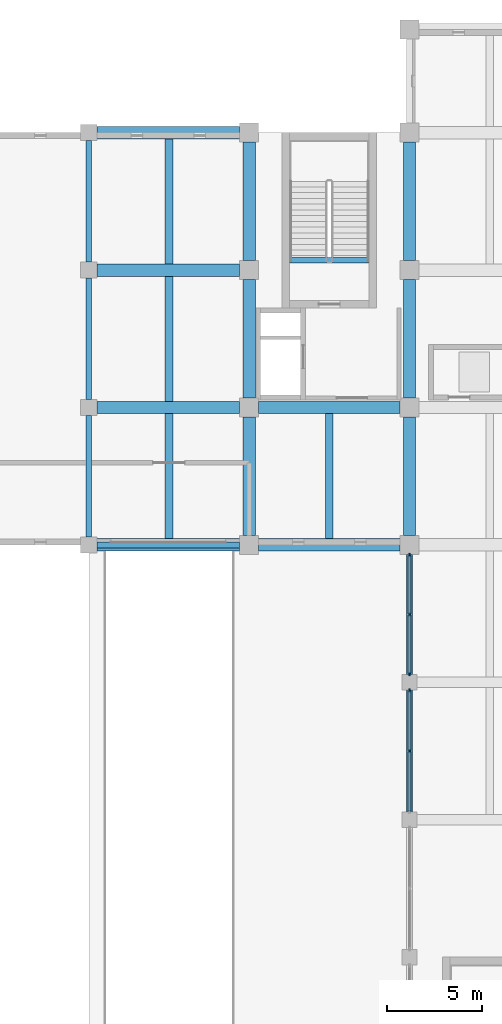
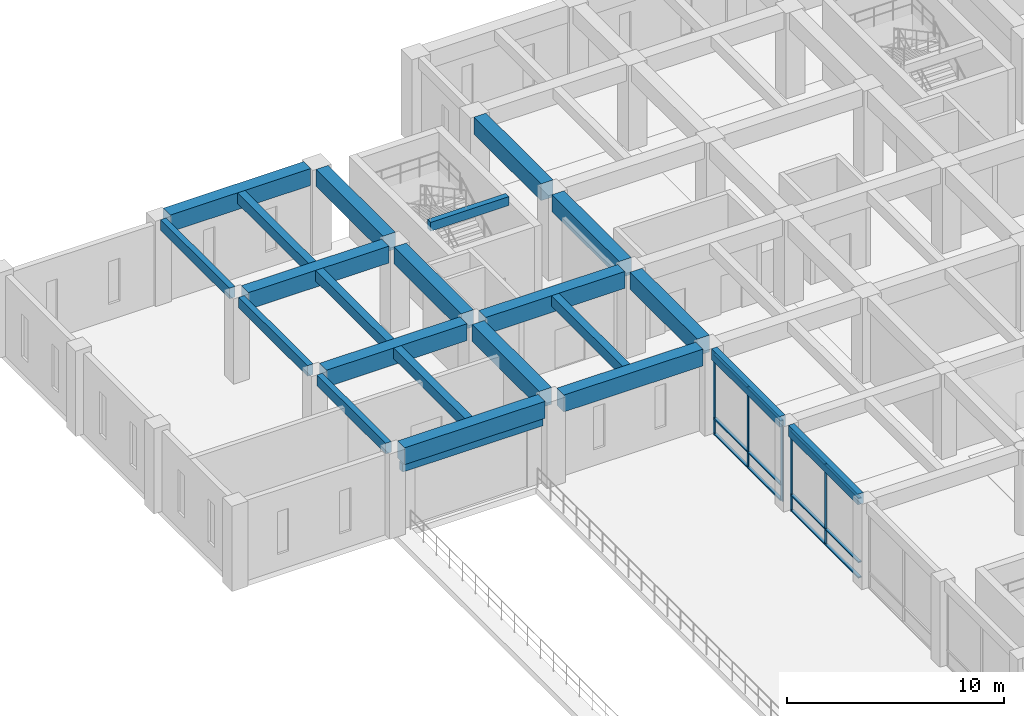
# One storey, part 12 of 49: 23 beams, 17 members, 2 elements without a shape of their own.
"""IFC4 building model written with IfcOpenShell, lengths in metres."""

from ifc_helpers import new_model, si_unit, direction, frame, origin, origin_2d, place, context, subcontext, project, spatial, rectangle, extrude, material, material_profile, profile_set, type_object, element, aggregate, save


model = new_model("IFC4")

# Units and contexts
model_context = context("Model", 3, precision=1e-05, world=origin(), true_north=direction((0.0, 1.0)))
body_context = subcontext(model_context, "Body", "Model", "MODEL_VIEW")
ifc_project = project(units=[si_unit("LENGTHUNIT", "METRE"), si_unit("AREAUNIT", "SQUARE_METRE"), si_unit("VOLUMEUNIT", "CUBIC_METRE"), si_unit("PLANEANGLEUNIT", "RADIAN"), si_unit("MASSUNIT", "GRAM", prefix="KILO")], contexts=[model_context])

# Site, building, storey
site_placement = place(None, origin())
site = spatial("IfcSite", under=ifc_project, at=site_placement, CompositionType="ELEMENT")
building_placement = place(site_placement, origin())
building = spatial("IfcBuilding", under=site, at=building_placement, Name="Kenerak Square Central Library", CompositionType="ELEMENT")
storey_placement = place(building_placement, origin())
storey = spatial("IfcBuildingStorey", under=building, at=storey_placement, Name="L00", CompositionType="ELEMENT", Elevation=0.0)

# Beams
ifc_material_1 = material(Name="Concrete C45/55", Category="concrete")
ifc_material_profile_1 = material_profile(ifc_material_1, rectangle(XDim=0.64990234375, YDim=0.949951171875, at=origin_2d()), Name="RC 650x950")
ifc_profile_set_1 = profile_set([ifc_material_profile_1], Name="Concrete C45/55")
beam_type_1 = type_object("IfcBeamType", Name="Book Stack Girder B-02 RC 650x950 C45/55", PredefinedType="BEAM", material=ifc_profile_set_1)
beam_1_placement = place(storey_placement, frame((50.425048828125, 88.800048828125, 4.324951171875), z_axis=(1.0, 0.0, 0.0), x_axis=(0.0, 1.0, 0.0)))
element("IfcBeam", 1, at=beam_1_placement, inside=storey, type_object=beam_type_1, Name="Beam B-02 L00 0552", PredefinedType="BEAM", context=body_context, shape_type="SweptSolid", body=[
    extrude(rectangle(XDim=0.64990234375, YDim=0.949951171875, at=origin_2d()), origin(), (0.0, 0.0, 1.0), 7.474853515625),
])
beam_2_placement = place(storey_placement, frame((58.89990234375, 88.800048828125, 4.324951171875), z_axis=(1.0, 0.0, 0.0), x_axis=(0.0, 1.0, 0.0)))
element("IfcBeam", 2, at=beam_2_placement, inside=storey, type_object=beam_type_1, Name="Beam B-02 L00 0553", PredefinedType="BEAM", context=body_context, shape_type="SweptSolid", body=[
    extrude(rectangle(XDim=0.64990234375, YDim=0.949951171875, at=origin_2d()), origin(), (0.0, 0.0, 1.0), 7.400146484375),
])
beam_3_placement = place(storey_placement, frame((50.425048828125, 96.0, 4.324951171875), z_axis=(1.0, 0.0, 0.0), x_axis=(0.0, 1.0, 0.0)))
element("IfcBeam", 3, at=beam_3_placement, inside=storey, type_object=beam_type_1, Name="Beam B-02 L00 0562", PredefinedType="BEAM", context=body_context, shape_type="SweptSolid", body=[
    extrude(rectangle(XDim=0.64990234375, YDim=0.949951171875, at=origin_2d()), origin(), (0.0, 0.0, 1.0), 7.474853515625),
])
beam_4_placement = place(storey_placement, frame((58.89990234375, 96.0, 4.324951171875), z_axis=(1.0, 0.0, 0.0), x_axis=(0.0, 1.0, 0.0)))
element("IfcBeam", 4, at=beam_4_placement, inside=storey, type_object=beam_type_1, Name="Beam B-02 L00 0563", PredefinedType="BEAM", context=body_context, shape_type="SweptSolid", body=[
    extrude(rectangle(XDim=0.64990234375, YDim=0.949951171875, at=origin_2d()), origin(), (0.0, 0.0, 1.0), 7.400146484375),
])
for number, where, z_axis, x_axis, name in (
    (5, (50.425048828125, 103.199951171875, 4.324951171875), (1.0, 0.0, 0.0), (0.0, 1.0, 0.0), "Beam B-02 L00 0572"),
    (6, (50.425048828125, 110.39990234375, 4.324951171875), (1.0, 0.0, 0.0), (0.0, 1.0, 0.0), "Beam B-02 L00 0579"),
):
    element("IfcBeam", number, at=place(storey_placement, frame(where, z_axis=z_axis, x_axis=x_axis)), inside=storey, type_object=beam_type_1, Name=name, PredefinedType="BEAM", context=body_context, shape_type="SweptSolid", body=[
        extrude(rectangle(XDim=0.64990234375, YDim=0.949951171875, at=origin_2d()), origin(), (0.0, 0.0, 1.0), 7.474853515625),
    ])
for number, where, z_axis, x_axis, name in (
    (7, (58.39990234375, 89.300048828125, 4.324951171875), (0.0, 1.0, 0.0), (-1.0, 0.0, 0.0), "Beam B-02 L00 0618"),
    (8, (58.39990234375, 96.5, 4.324951171875), (0.0, 1.0, 0.0), (-1.0, 0.0, 0.0), "Beam B-02 L00 0619"),
    (9, (58.39990234375, 103.699951171875, 4.324951171875), (0.0, 1.0, 0.0), (-1.0, 0.0, 0.0), "Beam B-02 L00 0620"),
    (10, (66.800048828125, 89.300048828125, 4.324951171875), (0.0, 1.0, 0.0), (-1.0, 0.0, 0.0), "Beam B-02 L00 0631"),
    (11, (66.800048828125, 96.5, 4.324951171875), (0.0, 1.0, 0.0), (-1.0, 0.0, 0.0), "Beam B-02 L00 0632"),
    (12, (66.800048828125, 103.699951171875, 4.324951171875), (0.0, 1.0, 0.0), (-1.0, 0.0, 0.0), "Beam B-02 L00 0633"),
):
    element("IfcBeam", number, at=place(storey_placement, frame(where, z_axis=z_axis, x_axis=x_axis)), inside=storey, type_object=beam_type_1, Name=name, PredefinedType="BEAM", context=body_context, shape_type="SweptSolid", body=[
        extrude(rectangle(XDim=0.64990234375, YDim=0.949951171875, at=origin_2d()), origin(), (0.0, 0.0, 1.0), 6.199951171875),
    ])
ifc_material_2 = material(Name="Concrete C40/50", Category="concrete")
ifc_material_profile_2 = material_profile(ifc_material_2, rectangle(XDim=0.300048828125, YDim=0.60009765625, at=origin_2d()), Name="RC 300x600")
ifc_profile_set_2 = profile_set([ifc_material_profile_2], Name="Concrete C40/50")
beam_type_2 = type_object("IfcBeamType", Name="Courtyard Spandrel Beam SP-02 RC 300x600 C40/50", PredefinedType="SPANDREL", material=ifc_profile_set_2)
for number, where, z_axis, x_axis, name in (
    (13, (50.0, 89.22509765625, 4.5), (0.0, 1.0, 0.0), (-1.0, 0.0, 0.0), "Beam SP-02 L00 0610"),
    (14, (50.0, 96.425048828125, 4.5), (0.0, 1.0, 0.0), (-1.0, 0.0, 0.0), "Beam SP-02 L00 0611"),
):
    element("IfcBeam", number, at=place(storey_placement, frame(where, z_axis=z_axis, x_axis=x_axis)), inside=storey, type_object=beam_type_2, Name=name, PredefinedType="SPANDREL", context=body_context, shape_type="SweptSolid", body=[
        extrude(rectangle(XDim=0.300048828125, YDim=0.60009765625, at=origin_2d()), origin(), (0.0, 0.0, 1.0), 6.349853515625),
    ])
beam_5_placement = place(storey_placement, frame((50.0, 103.625, 4.5), z_axis=(0.0, 1.0, 0.0), x_axis=(-1.0, 0.0, 0.0)))
element("IfcBeam", 15, at=beam_5_placement, inside=storey, type_object=beam_type_2, Name="Beam SP-02 L00 0612", PredefinedType="SPANDREL", context=body_context, shape_type="SweptSolid", body=[
    extrude(rectangle(XDim=0.300048828125, YDim=0.60009765625, at=origin_2d()), origin(), (0.0, 0.0, 1.0), 6.35009765625),
])
beam_6_placement = place(storey_placement, frame((66.800048828125, 74.800048828125, 4.5), z_axis=(0.0, 1.0, 0.0), x_axis=(-1.0, 0.0, 0.0)))
element("IfcBeam", 16, at=beam_6_placement, inside=storey, type_object=beam_type_2, Name="Beam SP-02 L00 0629", PredefinedType="SPANDREL", context=body_context, shape_type="SweptSolid", body=[
    extrude(rectangle(XDim=0.300048828125, YDim=0.60009765625, at=origin_2d()), origin(), (0.0, 0.0, 1.0), 6.39990234375),
])
beam_7_placement = place(storey_placement, frame((66.800048828125, 82.0, 4.5), z_axis=(0.0, 1.0, 0.0), x_axis=(-1.0, 0.0, 0.0)))
element("IfcBeam", 17, at=beam_7_placement, inside=storey, type_object=beam_type_2, Name="Beam SP-02 L00 0630", PredefinedType="SPANDREL", context=body_context, shape_type="SweptSolid", body=[
    extrude(rectangle(XDim=0.300048828125, YDim=0.60009765625, at=origin_2d()), origin(), (0.0, 0.0, 1.0), 6.300048828125),
])

# Curtain wall, members
ifc_material_3 = material(Name="Anodised aluminium and solar-control low-E glazing", Category="aluminium")
curtain_wall_type_1 = type_object("IfcCurtainWallType", Name="Curtain Wall CW-V4-64x45 6400x4525", PredefinedType="USERDEFINED", material=ifc_material_3)
curtain_wall_1_placement = place(storey_placement, origin())
curtain_wall_1 = element("IfcCurtainWall", 18, at=curtain_wall_1_placement, inside=storey, type_object=curtain_wall_type_1, Name="Curtain Wall CW-V4-64x45 L00 0005", ObjectType="CURTAIN WALL", PredefinedType="USERDEFINED")
ifc_material_4 = material(Name="Anodised aluminium 6063-T6", Category="aluminium")
ifc_material_profile_3 = material_profile(ifc_material_4, rectangle(XDim=0.06494140625, YDim=0.179931640625, at=origin_2d()), Name="AL MULLION 65x180")
ifc_profile_set_3 = profile_set([ifc_material_profile_3], Name="Anodised aluminium 6063-T6")
member_type_1 = type_object("IfcMemberType", Name="Curtain Mullion CM-01 65x180", PredefinedType="MULLION", material=ifc_profile_set_3)
member_1_placement = place(storey_placement, frame((66.800048828125, 78.0, 0.0), z_axis=(0.0, 0.0, 1.0), x_axis=(-1.0, 0.0, 0.0)))
member_1 = element("IfcMember", 19, at=member_1_placement, type_object=member_type_1, Name="CW-V4-64x45 Mullion 2", PredefinedType="MULLION", context=body_context, shape_type="SweptSolid", body=[
    extrude(rectangle(XDim=0.06494140625, YDim=0.179931640625, at=origin_2d()), origin(), (0.0, 0.0, 1.0), 4.52490234375),
])
member_2_placement = place(storey_placement, frame((66.800048828125, 81.16748046875, 0.0), z_axis=(0.0, 0.0, 1.0), x_axis=(-1.0, 0.0, 0.0)))
member_2 = element("IfcMember", 20, at=member_2_placement, type_object=member_type_1, Name="CW-V4-64x45 Mullion 3", PredefinedType="MULLION", context=body_context, shape_type="SweptSolid", body=[
    extrude(rectangle(XDim=0.06494140625, YDim=0.179931640625, at=origin_2d()), origin(), (0.0, 0.0, 1.0), 4.52490234375),
])

curtain_wall_type_2 = type_object("IfcCurtainWallType", Name="Curtain Wall CW-V4-63x45 6300x4525", PredefinedType="USERDEFINED", material=ifc_material_3)
curtain_wall_2_placement = place(storey_placement, origin())
curtain_wall_2 = element("IfcCurtainWall", 21, at=curtain_wall_2_placement, inside=storey, type_object=curtain_wall_type_2, Name="Curtain Wall CW-V4-63x45 L00 0006", ObjectType="CURTAIN WALL", PredefinedType="USERDEFINED")
member_3_placement = place(storey_placement, frame((66.800048828125, 82.032470703125, 0.0), z_axis=(0.0, 0.0, 1.0), x_axis=(-1.0, 0.0, 0.0)))
member_3 = element("IfcMember", 22, at=member_3_placement, type_object=member_type_1, Name="CW-V4-63x45 Mullion 1", PredefinedType="MULLION", context=body_context, shape_type="SweptSolid", body=[
    extrude(rectangle(XDim=0.06494140625, YDim=0.179931640625, at=origin_2d()), origin(), (0.0, 0.0, 1.0), 4.52490234375),
])
member_4_placement = place(storey_placement, frame((66.800048828125, 85.14990234375, 0.0), z_axis=(0.0, 0.0, 1.0), x_axis=(-1.0, 0.0, 0.0)))
member_4 = element("IfcMember", 23, at=member_4_placement, type_object=member_type_1, Name="CW-V4-63x45 Mullion 2", PredefinedType="MULLION", context=body_context, shape_type="SweptSolid", body=[
    extrude(rectangle(XDim=0.06494140625, YDim=0.179931640625, at=origin_2d()), origin(), (0.0, 0.0, 1.0), 4.52490234375),
])
member_5_placement = place(storey_placement, frame((66.800048828125, 88.267578125, 0.0), z_axis=(0.0, 0.0, 1.0), x_axis=(-1.0, 0.0, 0.0)))
member_5 = element("IfcMember", 24, at=member_5_placement, type_object=member_type_1, Name="CW-V4-63x45 Mullion 3", PredefinedType="MULLION", context=body_context, shape_type="SweptSolid", body=[
    extrude(rectangle(XDim=0.06494140625, YDim=0.179931640625, at=origin_2d()), origin(), (0.0, 0.0, 1.0), 4.52490234375),
])

# Member
ifc_material_profile_4 = material_profile(ifc_material_4, rectangle(XDim=0.159912109375, YDim=0.06494140625, at=origin_2d()), Name="AL TRANSOM 160x65")
ifc_profile_set_4 = profile_set([ifc_material_profile_4], Name="Anodised aluminium 6063-T6")
member_type_2 = type_object("IfcMemberType", Name="Curtain Transom CT-11 160x65", PredefinedType="USERDEFINED", material=ifc_profile_set_4)
member_6_placement = place(storey_placement, frame((66.800048828125, 74.864990234375, 0.032470703125), z_axis=(0.0, 1.0, 0.0), x_axis=(-1.0, 0.0, 0.0)))
member_6 = element("IfcMember", 25, at=member_6_placement, type_object=member_type_2, Name="CW-V4-64x45 Transom 1.1", ObjectType="TRANSOM", PredefinedType="USERDEFINED", context=body_context, shape_type="SweptSolid", body=[
    extrude(rectangle(XDim=0.159912109375, YDim=0.06494140625, at=origin_2d()), origin(), (0.0, 0.0, 1.0), 3.1025390625),
])

member_7_placement = place(storey_placement, frame((66.800048828125, 74.864990234375, 0.89990234375), z_axis=(0.0, 1.0, 0.0), x_axis=(-1.0, 0.0, 0.0)))
member_7 = element("IfcMember", 26, at=member_7_placement, type_object=member_type_2, Name="CW-V4-64x45 Transom 1.2", ObjectType="TRANSOM", PredefinedType="USERDEFINED", context=body_context, shape_type="SweptSolid", body=[
    extrude(rectangle(XDim=0.159912109375, YDim=0.06494140625, at=origin_2d()), origin(), (0.0, 0.0, 1.0), 3.1025390625),
])

member_8_placement = place(storey_placement, frame((66.800048828125, 74.864990234375, 4.492431640625), z_axis=(0.0, 1.0, 0.0), x_axis=(-1.0, 0.0, 0.0)))
member_8 = element("IfcMember", 27, at=member_8_placement, type_object=member_type_2, Name="CW-V4-64x45 Transom 1.3", ObjectType="TRANSOM", PredefinedType="USERDEFINED", context=body_context, shape_type="SweptSolid", body=[
    extrude(rectangle(XDim=0.159912109375, YDim=0.06494140625, at=origin_2d()), origin(), (0.0, 0.0, 1.0), 3.1025390625),
])

member_9_placement = place(storey_placement, frame((66.800048828125, 78.032470703125, 0.032470703125), z_axis=(0.0, 1.0, 0.0), x_axis=(-1.0, 0.0, 0.0)))
member_9 = element("IfcMember", 28, at=member_9_placement, type_object=member_type_2, Name="CW-V4-64x45 Transom 2.1", ObjectType="TRANSOM", PredefinedType="USERDEFINED", context=body_context, shape_type="SweptSolid", body=[
    extrude(rectangle(XDim=0.159912109375, YDim=0.06494140625, at=origin_2d()), origin(), (0.0, 0.0, 1.0), 3.1025390625),
])

member_10_placement = place(storey_placement, frame((66.800048828125, 78.032470703125, 0.89990234375), z_axis=(0.0, 1.0, 0.0), x_axis=(-1.0, 0.0, 0.0)))
member_10 = element("IfcMember", 29, at=member_10_placement, type_object=member_type_2, Name="CW-V4-64x45 Transom 2.2", ObjectType="TRANSOM", PredefinedType="USERDEFINED", context=body_context, shape_type="SweptSolid", body=[
    extrude(rectangle(XDim=0.159912109375, YDim=0.06494140625, at=origin_2d()), origin(), (0.0, 0.0, 1.0), 3.1025390625),
])

member_11_placement = place(storey_placement, frame((66.800048828125, 78.032470703125, 4.492431640625), z_axis=(0.0, 1.0, 0.0), x_axis=(-1.0, 0.0, 0.0)))
member_11 = element("IfcMember", 30, at=member_11_placement, type_object=member_type_2, Name="CW-V4-64x45 Transom 2.3", ObjectType="TRANSOM", PredefinedType="USERDEFINED", context=body_context, shape_type="SweptSolid", body=[
    extrude(rectangle(XDim=0.159912109375, YDim=0.06494140625, at=origin_2d()), origin(), (0.0, 0.0, 1.0), 3.1025390625),
])

aggregate(curtain_wall_1, [member_1, member_2, member_6, member_7, member_8, member_9, member_10, member_11])

member_12_placement = place(storey_placement, frame((66.800048828125, 82.06494140625, 0.032470703125), z_axis=(0.0, 1.0, 0.0), x_axis=(-1.0, 0.0, 0.0)))
member_12 = element("IfcMember", 31, at=member_12_placement, type_object=member_type_2, Name="CW-V4-63x45 Transom 1.1", ObjectType="TRANSOM", PredefinedType="USERDEFINED", context=body_context, shape_type="SweptSolid", body=[
    extrude(rectangle(XDim=0.159912109375, YDim=0.06494140625, at=origin_2d()), origin(), (0.0, 0.0, 1.0), 3.052490234375),
])

member_13_placement = place(storey_placement, frame((66.800048828125, 82.06494140625, 0.89990234375), z_axis=(0.0, 1.0, 0.0), x_axis=(-1.0, 0.0, 0.0)))
member_13 = element("IfcMember", 32, at=member_13_placement, type_object=member_type_2, Name="CW-V4-63x45 Transom 1.2", ObjectType="TRANSOM", PredefinedType="USERDEFINED", context=body_context, shape_type="SweptSolid", body=[
    extrude(rectangle(XDim=0.159912109375, YDim=0.06494140625, at=origin_2d()), origin(), (0.0, 0.0, 1.0), 3.052490234375),
])

member_14_placement = place(storey_placement, frame((66.800048828125, 82.06494140625, 4.492431640625), z_axis=(0.0, 1.0, 0.0), x_axis=(-1.0, 0.0, 0.0)))
member_14 = element("IfcMember", 33, at=member_14_placement, type_object=member_type_2, Name="CW-V4-63x45 Transom 1.3", ObjectType="TRANSOM", PredefinedType="USERDEFINED", context=body_context, shape_type="SweptSolid", body=[
    extrude(rectangle(XDim=0.159912109375, YDim=0.06494140625, at=origin_2d()), origin(), (0.0, 0.0, 1.0), 3.052490234375),
])

member_15_placement = place(storey_placement, frame((66.800048828125, 85.1826171875, 0.032470703125), z_axis=(0.0, 1.0, 0.0), x_axis=(-1.0, 0.0, 0.0)))
member_15 = element("IfcMember", 34, at=member_15_placement, type_object=member_type_2, Name="CW-V4-63x45 Transom 2.1", ObjectType="TRANSOM", PredefinedType="USERDEFINED", context=body_context, shape_type="SweptSolid", body=[
    extrude(rectangle(XDim=0.159912109375, YDim=0.06494140625, at=origin_2d()), origin(), (0.0, 0.0, 1.0), 3.052490234375),
])

member_16_placement = place(storey_placement, frame((66.800048828125, 85.1826171875, 0.89990234375), z_axis=(0.0, 1.0, 0.0), x_axis=(-1.0, 0.0, 0.0)))
member_16 = element("IfcMember", 35, at=member_16_placement, type_object=member_type_2, Name="CW-V4-63x45 Transom 2.2", ObjectType="TRANSOM", PredefinedType="USERDEFINED", context=body_context, shape_type="SweptSolid", body=[
    extrude(rectangle(XDim=0.159912109375, YDim=0.06494140625, at=origin_2d()), origin(), (0.0, 0.0, 1.0), 3.052490234375),
])

member_17_placement = place(storey_placement, frame((66.800048828125, 85.1826171875, 4.492431640625), z_axis=(0.0, 1.0, 0.0), x_axis=(-1.0, 0.0, 0.0)))
member_17 = element("IfcMember", 36, at=member_17_placement, type_object=member_type_2, Name="CW-V4-63x45 Transom 2.3", ObjectType="TRANSOM", PredefinedType="USERDEFINED", context=body_context, shape_type="SweptSolid", body=[
    extrude(rectangle(XDim=0.159912109375, YDim=0.06494140625, at=origin_2d()), origin(), (0.0, 0.0, 1.0), 3.052490234375),
])

aggregate(curtain_wall_2, [member_3, member_4, member_5, member_12, member_13, member_14, member_15, member_16, member_17])

# Beams
ifc_material_profile_5 = material_profile(ifc_material_2, rectangle(XDim=0.300048828125, YDim=0.5, at=origin_2d()), Name="RC 300x500")
ifc_profile_set_5 = profile_set([ifc_material_profile_5], Name="Concrete C40/50")
beam_type_3 = type_object("IfcBeamType", Name="Landing Support Beam B-08 RC 300x500 C40/50", PredefinedType="BEAM", material=ifc_profile_set_5)
beam_8_placement = place(storey_placement, frame((60.52001953125, 103.7099609375, 4.550048828125), z_axis=(1.0, 0.0, 0.0), x_axis=(0.0, 1.0, 0.0)))
element("IfcBeam", 37, at=beam_8_placement, inside=storey, type_object=beam_type_3, Name="Stair Threshold Beam B-08 ST-01 L01", PredefinedType="BEAM", context=body_context, shape_type="SweptSolid", body=[
    extrude(rectangle(XDim=0.300048828125, YDim=0.5, at=origin_2d()), origin(), (0.0, 0.0, 1.0), 4.159912109375),
])
ifc_material_profile_6 = material_profile(ifc_material_2, rectangle(XDim=0.300048828125, YDim=0.449951171875, at=origin_2d()), Name="RC 300x450")
ifc_profile_set_6 = profile_set([ifc_material_profile_6], Name="Concrete C40/50")
beam_type_4 = type_object("IfcBeamType", Name="Opening Lintel Beam LN-01 RC 300x450 C40/50", PredefinedType="LINTEL", material=ifc_profile_set_6)
beam_9_placement = place(storey_placement, frame((50.425048828125, 88.800048828125, 3.550048828125), z_axis=(1.0, 0.0, 0.0), x_axis=(0.0, 1.0, 0.0)))
element("IfcBeam", 38, at=beam_9_placement, inside=storey, type_object=beam_type_4, Name="Portal Lintel Beam 01", PredefinedType="LINTEL", context=body_context, shape_type="SweptSolid", body=[
    extrude(rectangle(XDim=0.300048828125, YDim=0.449951171875, at=origin_2d()), origin(), (0.0, 0.0, 1.0), 7.474853515625),
])
ifc_material_profile_7 = material_profile(ifc_material_2, rectangle(XDim=0.39990234375, YDim=0.60009765625, at=origin_2d()), Name="RC 400x600")
ifc_profile_set_7 = profile_set([ifc_material_profile_7], Name="Concrete C40/50")
beam_type_5 = type_object("IfcBeamType", Name="Secondary Floor Joist J-01 RC 400x600 C40/50", PredefinedType="JOIST", material=ifc_profile_set_7)
for number, where, z_axis, x_axis, name in (
    (39, (54.199951171875, 89.125, 4.5), (0.0, 1.0, 0.0), (-1.0, 0.0, 0.0), "Joist J-01 L00 0761"),
    (40, (54.199951171875, 96.324951171875, 4.5), (0.0, 1.0, 0.0), (-1.0, 0.0, 0.0), "Joist J-01 L00 0762"),
    (41, (54.199951171875, 103.52490234375, 4.5), (0.0, 1.0, 0.0), (-1.0, 0.0, 0.0), "Joist J-01 L00 0763"),
    (42, (62.60009765625, 89.125, 4.5), (0.0, 1.0, 0.0), (-1.0, 0.0, 0.0), "Joist J-01 L00 0766"),
):
    element("IfcBeam", number, at=place(storey_placement, frame(where, z_axis=z_axis, x_axis=x_axis)), inside=storey, type_object=beam_type_5, Name=name, PredefinedType="JOIST", context=body_context, shape_type="SweptSolid", body=[
        extrude(rectangle(XDim=0.39990234375, YDim=0.60009765625, at=origin_2d()), origin(), (0.0, 0.0, 1.0), 6.550048828125),
    ])

save(model, "model.ifc")
